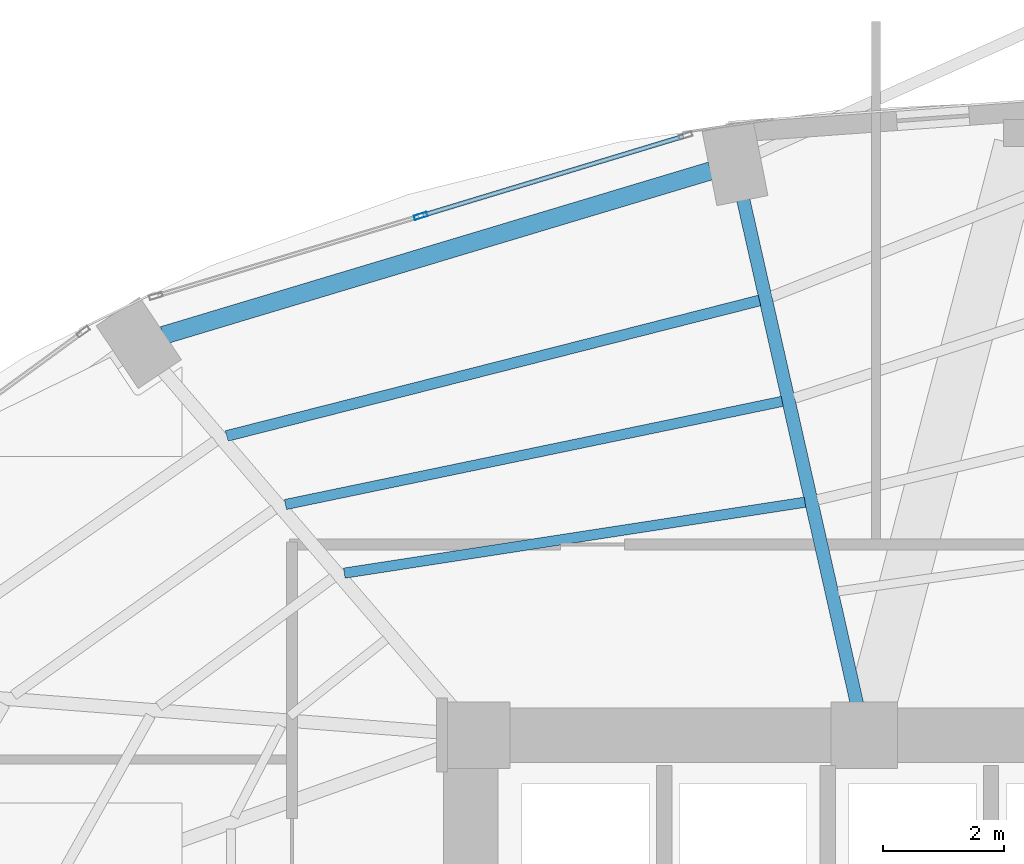
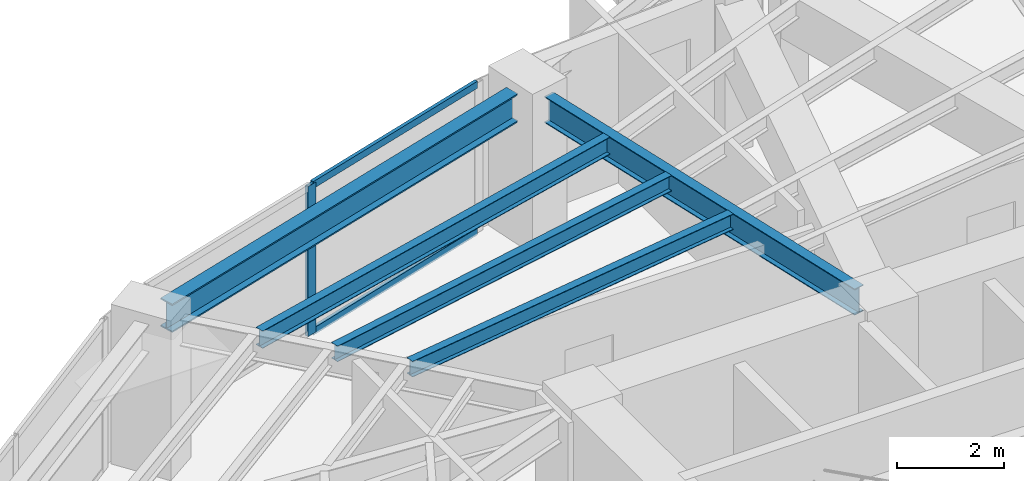
# One storey, part 14 of 24: 5 beams, 3 members, 1 element without a shape of its own.
"""IFC4 building model written with IfcOpenShell, lengths in metres."""

from ifc_helpers import new_model, si_unit, direction, frame, origin, origin_2d, place, context, subcontext, project, spatial, hollow_rectangle, i_section, extrude, material, layer, layer_set, material_profile, profile_set, type_object, element, aggregate, save


model = new_model("IFC4")

# Units and contexts
model_context = context("Model", 3, precision=1e-05, world=origin(), true_north=direction((0.0, 1.0)))
body_context = subcontext(model_context, "Body", "Model", "MODEL_VIEW")
ifc_project = project(units=[si_unit("LENGTHUNIT", "METRE"), si_unit("AREAUNIT", "SQUARE_METRE"), si_unit("VOLUMEUNIT", "CUBIC_METRE"), si_unit("PLANEANGLEUNIT", "RADIAN"), si_unit("MASSUNIT", "GRAM", prefix="KILO")], contexts=[model_context])

# Site, building, storey
site_placement = place(None, origin())
site = spatial("IfcSite", under=ifc_project, at=site_placement, CompositionType="ELEMENT")
building_placement = place(site_placement, origin())
building = spatial("IfcBuilding", under=site, at=building_placement, Name="Lazwardi Medical Tower", CompositionType="ELEMENT")
storey_placement = place(building_placement, frame((0.0, 0.0, 36.14404296875)))
storey = spatial("IfcBuildingStorey", under=building, at=storey_placement, Name="L08", CompositionType="ELEMENT", Elevation=36.14404296875)

# Beams
ifc_material_1 = material(Name="Steel S355", Category="steel")
ifc_material_profile_1 = material_profile(ifc_material_1, i_section(OverallWidth=0.300048828125, OverallDepth=0.64990234375, WebThickness=0.01611328125, FlangeThickness=0.031005859375, at=origin_2d()), Name="HEB 650")
ifc_profile_set_1 = profile_set([ifc_material_profile_1], Name="Steel S355")
beam_type_1 = type_object("IfcBeamType", Name="BM-RB-Z1", PredefinedType="BEAM", material=ifc_profile_set_1)
beam_1_placement = place(storey_placement, frame((30.26708984375, 44.923095703125, 3.10302734375), z_axis=(-0.957695289269, -0.287784177662, 0.0), x_axis=(0.287784177662, -0.957695289269, 0.0)))
element("IfcBeam", 1, at=beam_1_placement, inside=storey, type_object=beam_type_1, Name="Ring beam RB-02 B09 L08", PredefinedType="BEAM", context=body_context, shape_type="SweptSolid", body=[
    extrude(i_section(OverallWidth=0.300048828125, OverallDepth=0.64990234375, WebThickness=0.01611328125, FlangeThickness=0.031005859375, at=origin_2d()), origin(), (0.0, 0.0, 1.0), 9.445556640625),
])
ifc_material_profile_2 = material_profile(ifc_material_1, i_section(OverallWidth=0.219970703125, OverallDepth=0.60009765625, WebThickness=0.011962890625, FlangeThickness=0.01904296875, at=origin_2d()), Name="IPE 600")
ifc_profile_set_2 = profile_set([ifc_material_profile_2], Name="Steel S355")
beam_type_2 = type_object("IfcBeamType", Name="BM-RG-W1", PredefinedType="BEAM", material=ifc_profile_set_2)
beam_2_placement = place(storey_placement, frame((30.796875, 44.478271484375, 3.1279296875), z_axis=(0.22010079219, -0.975477135189, 0.0), x_axis=(0.975477135189, 0.22010079219, 0.0)))
element("IfcBeam", 2, at=beam_2_placement, inside=storey, type_object=beam_type_2, Name="Radial girder RG-02 R09 L08", PredefinedType="BEAM", context=body_context, shape_type="SweptSolid", body=[
    extrude(i_section(OverallWidth=0.219970703125, OverallDepth=0.60009765625, WebThickness=0.011962890625, FlangeThickness=0.01904296875, at=origin_2d()), origin(), (0.0, 0.0, 1.0), 8.56640625),
])
ifc_material_profile_3 = material_profile(ifc_material_1, i_section(OverallWidth=0.179931640625, OverallDepth=0.39990234375, WebThickness=0.008544921875, FlangeThickness=0.013427734375, at=origin_2d()), Name="IPE 400")
ifc_profile_set_3 = profile_set([ifc_material_profile_3], Name="Steel S355")
beam_type_3 = type_object("IfcBeamType", Name="BM-SJ-01", PredefinedType="JOIST", material=ifc_profile_set_3)
beam_3_placement = place(storey_placement, frame((31.072265625, 42.781005859375, 3.22802734375), z_axis=(-0.969151012048, -0.246467677081, 0.0), x_axis=(0.246467677081, -0.969151012048, 0.0)))
element("IfcBeam", 3, at=beam_3_placement, inside=storey, type_object=beam_type_3, Name="Secondary joist SJ-01 R1 B09 L08", PredefinedType="JOIST", context=body_context, shape_type="SweptSolid", body=[
    extrude(i_section(OverallWidth=0.179931640625, OverallDepth=0.39990234375, WebThickness=0.008544921875, FlangeThickness=0.013427734375, at=origin_2d()), origin(), (0.0, 0.0, 1.0), 9.08251953125),
])
ifc_material_profile_4 = material_profile(ifc_material_1, i_section(OverallWidth=0.169921875, OverallDepth=0.360107421875, WebThickness=0.008056640625, FlangeThickness=0.0126953125, at=origin_2d()), Name="IPE 360")
ifc_profile_set_4 = profile_set([ifc_material_profile_4], Name="Steel S355")
beam_type_4 = type_object("IfcBeamType", Name="BM-SJ-02", PredefinedType="JOIST", material=ifc_profile_set_4)
beam_4_placement = place(storey_placement, frame((31.4482421875, 41.114501953125, 3.248046875), z_axis=(-0.979107693723, -0.203342381445, 0.0), x_axis=(0.203342381445, -0.979107693723, 0.0)))
element("IfcBeam", 4, at=beam_4_placement, inside=storey, type_object=beam_type_4, Name="Secondary joist SJ-02 R2 B09 L08", PredefinedType="JOIST", context=body_context, shape_type="SweptSolid", body=[
    extrude(i_section(OverallWidth=0.169921875, OverallDepth=0.360107421875, WebThickness=0.008056640625, FlangeThickness=0.0126953125, at=origin_2d()), origin(), (0.0, 0.0, 1.0), 8.381591796875),
])
beam_5_placement = place(storey_placement, frame((31.824462890625, 39.448486328125, 3.248046875), z_axis=(-0.988362899594, -0.152114360618, 0.0), x_axis=(0.152114360618, -0.988362899594, 0.0)))
element("IfcBeam", 5, at=beam_5_placement, inside=storey, type_object=beam_type_4, Name="Secondary joist SJ-02 R3 B09 L08", PredefinedType="JOIST", context=body_context, shape_type="SweptSolid", body=[
    extrude(i_section(OverallWidth=0.169921875, OverallDepth=0.360107421875, WebThickness=0.008056640625, FlangeThickness=0.0126953125, at=origin_2d()), origin(), (0.0, 0.0, 1.0), 7.70068359375),
])

# Curtain wall, members
ifc_material_2 = material(Name="Anodised bronze aluminium and solar control glazing", Category="aluminium")
ifc_layer = layer(ifc_material_2, 0.199951171875)
ifc_layer_set = layer_set([ifc_layer], Name="Anodised bronze aluminium and solar control glazing")
curtain_wall_type = type_object("IfcCurtainWallType", Name="CW-SYS-02", PredefinedType="NOTDEFINED", material=ifc_layer_set)
curtain_wall_placement = place(storey_placement, origin())
curtain_wall = element("IfcCurtainWall", 6, at=curtain_wall_placement, inside=storey, type_object=curtain_wall_type, Name="L08 Unitised bronze curtain wall CW-02", PredefinedType="NOTDEFINED")
ifc_material_3 = material(Name="Anodised bronze aluminium", Category="aluminium")
ifc_material_profile_5 = material_profile(ifc_material_3, hollow_rectangle(XDim=0.074951171875, YDim=0.219970703125, WallThickness=0.00390625, at=origin_2d()), Name="ALU-MULLION 220x75x4")
ifc_profile_set_5 = profile_set([ifc_material_profile_5], Name="Anodised bronze aluminium")
member_type_1 = type_object("IfcMemberType", Name="CW-MUL-01", PredefinedType="MULLION", material=ifc_profile_set_5)
member_1_placement = place(storey_placement, frame((25.476806640625, 44.178466796875, 0.0), z_axis=(0.0, 0.0, 1.0), x_axis=(0.2898956909, -0.957058247129, 0.0)))
member_1 = element("IfcMember", 7, at=member_1_placement, type_object=member_type_1, Name="CW-02 mullion 2", PredefinedType="MULLION", context=body_context, shape_type="SweptSolid", body=[
    extrude(hollow_rectangle(XDim=0.074951171875, YDim=0.219970703125, WallThickness=0.00390625, at=origin_2d()), origin(), (0.0, 0.0, 1.0), 3.427978515625),
])
ifc_material_profile_6 = material_profile(ifc_material_3, hollow_rectangle(XDim=0.074951171875, YDim=0.159912109375, WallThickness=0.00390625, at=origin_2d()), Name="ALU-TRANSOM 160x75x4")
ifc_profile_set_6 = profile_set([ifc_material_profile_6], Name="Anodised bronze aluminium")
member_type_2 = type_object("IfcMemberType", Name="CW-TRN-01", PredefinedType="USERDEFINED", material=ifc_profile_set_6)
member_2_placement = place(storey_placement, frame((29.816162109375, 45.492919921875, 0.037353515625), z_axis=(-0.957047233423, -0.28993204893, 0.0), x_axis=(0.28993204893, -0.957047233423, 0.0)))
member_2 = element("IfcMember", 8, at=member_2_placement, type_object=member_type_2, Name="CW-02 transom 1.1", ObjectType="TRANSOM", PredefinedType="USERDEFINED", context=body_context, shape_type="SweptSolid", body=[
    extrude(hollow_rectangle(XDim=0.074951171875, YDim=0.159912109375, WallThickness=0.00390625, at=origin_2d()), origin(), (0.0, 0.0, 1.0), 4.49658203125),
])
member_3_placement = place(storey_placement, frame((29.816162109375, 45.492919921875, 3.390380859375), z_axis=(-0.957047233423, -0.28993204893, 0.0), x_axis=(0.28993204893, -0.957047233423, 0.0)))
member_3 = element("IfcMember", 9, at=member_3_placement, type_object=member_type_2, Name="CW-02 transom 1.2", ObjectType="TRANSOM", PredefinedType="USERDEFINED", context=body_context, shape_type="SweptSolid", body=[
    extrude(hollow_rectangle(XDim=0.074951171875, YDim=0.159912109375, WallThickness=0.00390625, at=origin_2d()), origin(), (0.0, 0.0, 1.0), 4.49658203125),
])
aggregate(curtain_wall, [member_1, member_2, member_3])

save(model, "model.ifc")
